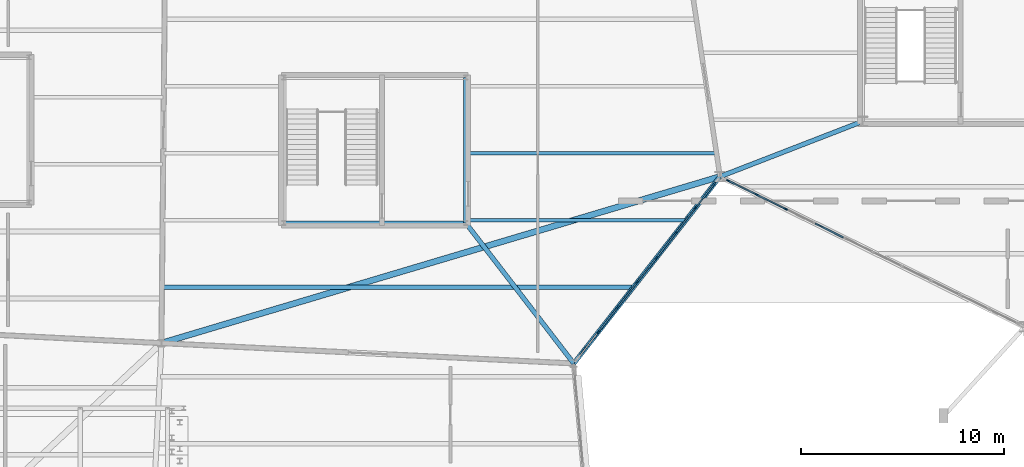
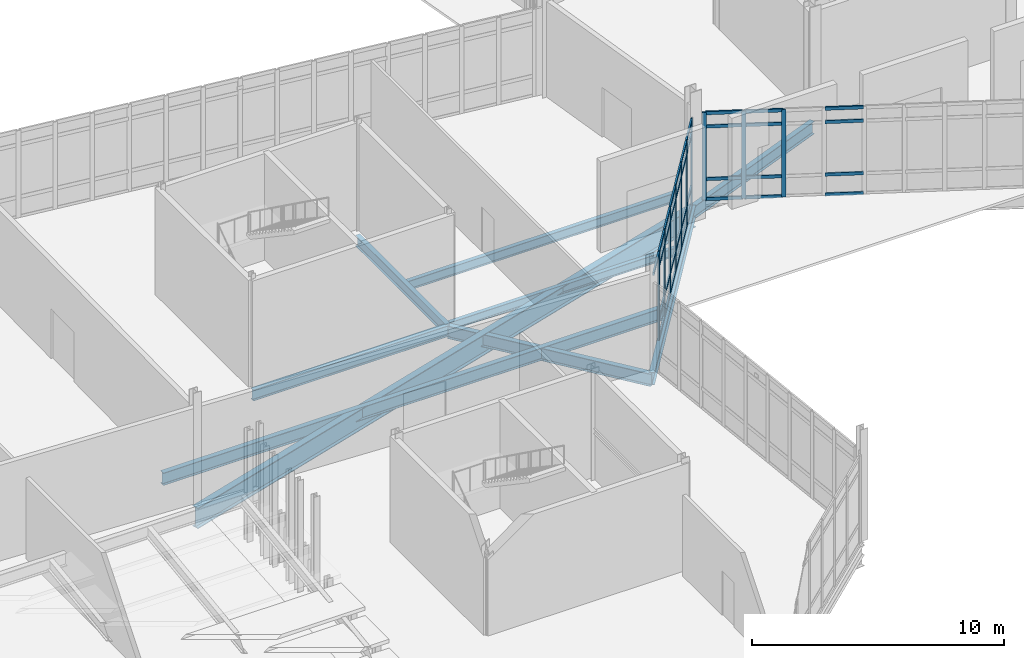
# One storey, part 28 of 113: 47 members, 9 beams, 2 elements without a shape of their own.
"""IFC4 building model written with IfcOpenShell, lengths in metres."""

from ifc_helpers import new_model, si_unit, direction, frame, origin, origin_2d, place, context, subcontext, project, spatial, rectangle, i_section, extrude, material, material_profile, profile_set, type_object, element, aggregate, save


model = new_model("IFC4")

# Units and contexts
model_context = context("Model", 3, precision=1e-05, world=origin(), true_north=direction((0.0, 1.0)))
body_context = subcontext(model_context, "Body", "Model", "MODEL_VIEW")
ifc_project = project(units=[si_unit("LENGTHUNIT", "METRE"), si_unit("AREAUNIT", "SQUARE_METRE"), si_unit("VOLUMEUNIT", "CUBIC_METRE"), si_unit("PLANEANGLEUNIT", "RADIAN"), si_unit("MASSUNIT", "GRAM", prefix="KILO")], contexts=[model_context])

# Site, building, storey
site_placement = place(None, origin())
site = spatial("IfcSite", under=ifc_project, at=site_placement, CompositionType="ELEMENT")
building_placement = place(site_placement, origin())
building = spatial("IfcBuilding", under=site, at=building_placement, Name="Tameran Prism Museum", CompositionType="ELEMENT")
storey_placement = place(building_placement, origin())
storey = spatial("IfcBuildingStorey", under=building, at=storey_placement, Name="L00", CompositionType="ELEMENT", Elevation=0.0)

# Beams
ifc_material_1 = material(Name="Steel Grade 300PLUS (300 MPa)", Category="steel")
ifc_material_profile_1 = material_profile(ifc_material_1, i_section(OverallWidth=0.177978515625, OverallDepth=0.403076171875, WebThickness=0.007568359375, FlangeThickness=0.010986328125, FilletRadius=0.011474609375, at=origin_2d()))
ifc_profile_set_1 = profile_set([ifc_material_profile_1])
beam_type_1 = type_object("IfcBeamType", Name="BM-J410B", PredefinedType="JOIST", material=ifc_profile_set_1)
beam_1_placement = place(storey_placement, frame((38.47998046875, 28.050048828125, -0.44140625), z_axis=(1.0, 0.0, 0.0), x_axis=(0.0, 1.0, 0.0)))
element("IfcBeam", 1, at=beam_1_placement, inside=storey, type_object=beam_type_1, Name="Floor Beam BM-0277", PredefinedType="JOIST", context=body_context, shape_type="SweptSolid", body=[
    extrude(i_section(OverallWidth=0.177978515625, OverallDepth=0.403076171875, WebThickness=0.007568359375, FlangeThickness=0.010986328125, FilletRadius=0.011474609375, at=origin_2d()), origin(), (0.0, 0.0, 1.0), 10.787109375),
])
ifc_material_2 = material(Name="Steel Grade 300PLUS (300 MPa)", Category="steel")
ifc_material_profile_2 = material_profile(ifc_material_2, i_section(OverallWidth=0.18994140625, OverallDepth=0.4541015625, WebThickness=0.008544921875, FlangeThickness=0.0126953125, FilletRadius=0.011474609375, at=origin_2d()))
ifc_profile_set_2 = profile_set([ifc_material_profile_2])
beam_type_2 = type_object("IfcBeamType", Name="BM-J460B", PredefinedType="JOIST", material=ifc_profile_set_2)
beam_2_placement = place(storey_placement, frame((38.47998046875, 31.35009765625, -0.467041015625), z_axis=(1.0, 0.0, 0.0), x_axis=(0.0, 1.0, 0.0)))
element("IfcBeam", 2, at=beam_2_placement, inside=storey, type_object=beam_type_2, Name="Floor Beam BM-0279", PredefinedType="JOIST", context=body_context, shape_type="SweptSolid", body=[
    extrude(i_section(OverallWidth=0.18994140625, OverallDepth=0.4541015625, WebThickness=0.008544921875, FlangeThickness=0.0126953125, FilletRadius=0.011474609375, at=origin_2d()), origin(), (0.0, 0.0, 1.0), 12.305908203125),
])
ifc_material_3 = material(Name="Steel Grade 300PLUS (300 MPa)", Category="steel")
ifc_material_profile_3 = material_profile(ifc_material_3, i_section(OverallWidth=0.208984375, OverallDepth=0.528076171875, WebThickness=0.009521484375, FlangeThickness=0.01318359375, FilletRadius=0.013916015625, at=origin_2d()))
ifc_profile_set_3 = profile_set([ifc_material_profile_3])
beam_type_3 = type_object("IfcBeamType", Name="BM-SP530B", PredefinedType="SPANDREL", material=ifc_profile_set_3)
beam_3_placement = place(storey_placement, frame((29.52001953125, 27.919921875, -0.50390625), z_axis=(1.0, 0.0, 0.0), x_axis=(0.0, 1.0, 0.0)))
element("IfcBeam", 3, at=beam_3_placement, inside=storey, type_object=beam_type_3, Name="Core Ring Beam CTB-0146", PredefinedType="SPANDREL", context=body_context, shape_type="SweptSolid", body=[
    extrude(i_section(OverallWidth=0.208984375, OverallDepth=0.528076171875, WebThickness=0.009521484375, FlangeThickness=0.01318359375, FilletRadius=0.013916015625, at=origin_2d()), origin(), (0.0, 0.0, 1.0), 8.9599609375),
])
beam_4_placement = place(storey_placement, frame((38.47998046875, 27.919921875, -0.50390625), z_axis=(0.0, 1.0, 0.0), x_axis=(-1.0, 0.0, 0.0)))
element("IfcBeam", 4, at=beam_4_placement, inside=storey, type_object=beam_type_3, Name="Core Ring Beam CTB-0147", PredefinedType="SPANDREL", context=body_context, shape_type="SweptSolid", body=[
    extrude(i_section(OverallWidth=0.208984375, OverallDepth=0.528076171875, WebThickness=0.009521484375, FlangeThickness=0.01318359375, FilletRadius=0.013916015625, at=origin_2d()), origin(), (0.0, 0.0, 1.0), 7.16015625),
])
ifc_material_4 = material(Name="Steel Grade 300PLUS (300 MPa)", Category="steel")
ifc_material_profile_4 = material_profile(ifc_material_4, i_section(OverallWidth=0.22802734375, OverallDepth=0.60205078125, WebThickness=0.010498046875, FlangeThickness=0.014892578125, FilletRadius=0.013916015625, at=origin_2d()))
ifc_profile_set_4 = profile_set([ifc_material_profile_4])
beam_type_4 = type_object("IfcBeamType", Name="BM-SP610", PredefinedType="SPANDREL", material=ifc_profile_set_4)
beam_5_placement = place(storey_placement, frame((43.800048828125, 21.0, -0.541015625), z_axis=(0.616307698167, 0.787505442, 0.0), x_axis=(-0.787505442, 0.616307698167, 0.0)))
element("IfcBeam", 5, at=beam_5_placement, inside=storey, type_object=beam_type_4, Name="Perimeter Spandrel SP-0072", PredefinedType="SPANDREL", context=body_context, shape_type="SweptSolid", body=[
    extrude(i_section(OverallWidth=0.22802734375, OverallDepth=0.60205078125, WebThickness=0.010498046875, FlangeThickness=0.014892578125, FilletRadius=0.013916015625, at=origin_2d()), origin(), (0.0, 0.0, 1.0), 11.682373046875),
])
ifc_material_5 = material(Name="Steel Grade 300PLUS (300 MPa)", Category="steel")
ifc_material_profile_5 = material_profile(ifc_material_5, i_section(OverallWidth=0.22900390625, OverallDepth=0.612060546875, WebThickness=0.011962890625, FlangeThickness=0.01953125, FilletRadius=0.013916015625, at=origin_2d()))
ifc_profile_set_5 = profile_set([ifc_material_profile_5])
beam_type_5 = type_object("IfcBeamType", Name="BM-UB610A", PredefinedType="BEAM", material=ifc_profile_set_5)
beam_6_placement = place(storey_placement, frame((58.02001953125, 32.919921875, -0.56005859375), z_axis=(-0.932454302141, -0.361287938379, 0.0), x_axis=(0.361287938379, -0.932454302141, 0.0)))
element("IfcBeam", 6, at=beam_6_placement, inside=storey, type_object=beam_type_5, Name="Frame Tie Girder FG-1410", PredefinedType="BEAM", context=body_context, shape_type="SweptSolid", body=[
    extrude(i_section(OverallWidth=0.22900390625, OverallDepth=0.612060546875, WebThickness=0.011962890625, FlangeThickness=0.01953125, FilletRadius=0.013916015625, at=origin_2d()), origin(), (0.0, 0.0, 1.0), 7.528564453125),
])
beam_7_placement = place(storey_placement, frame((38.47998046875, 27.919921875, -0.56005859375), z_axis=(0.60949851904, -0.792787206814, 0.0), x_axis=(0.792787206814, 0.60949851904, 0.0)))
element("IfcBeam", 7, at=beam_7_placement, inside=storey, type_object=beam_type_5, Name="Frame Tie Girder FG-1431", PredefinedType="BEAM", context=body_context, shape_type="SweptSolid", body=[
    extrude(i_section(OverallWidth=0.22900390625, OverallDepth=0.612060546875, WebThickness=0.011962890625, FlangeThickness=0.01953125, FilletRadius=0.013916015625, at=origin_2d()), origin(), (0.0, 0.0, 1.0), 8.728515625),
])
ifc_material_6 = material(Name="Steel Grade 300PLUS (300 MPa)", Category="steel")
ifc_material_profile_6 = material_profile(ifc_material_6, i_section(OverallWidth=0.22802734375, OverallDepth=0.60693359375, WebThickness=0.01123046875, FlangeThickness=0.017333984375, FilletRadius=0.013916015625, at=origin_2d()))
ifc_profile_set_6 = profile_set([ifc_material_profile_6])
beam_type_6 = type_object("IfcBeamType", Name="BM-UB610B", PredefinedType="BEAM", material=ifc_profile_set_6)
beam_8_placement = place(storey_placement, frame((23.56591796875, 24.75, -0.54345703125), z_axis=(1.0, 0.0, 0.0), x_axis=(0.0, 1.0, 0.0)))
element("IfcBeam", 8, at=beam_8_placement, inside=storey, type_object=beam_type_6, Name="Floor Beam BM-0275", PredefinedType="BEAM", context=body_context, shape_type="SweptSolid", body=[
    extrude(i_section(OverallWidth=0.22802734375, OverallDepth=0.60693359375, WebThickness=0.01123046875, FlangeThickness=0.017333984375, FilletRadius=0.013916015625, at=origin_2d()), origin(), (0.0, 0.0, 1.0), 23.1181640625),
])
ifc_material_7 = material(Name="Steel Grade 350 (350 MPa)", Category="steel")
ifc_material_profile_7 = material_profile(ifc_material_7, i_section(OverallWidth=0.300048828125, OverallDepth=1.0, WebThickness=0.01611328125, FlangeThickness=0.031982421875, at=origin_2d()))
ifc_profile_set_7 = profile_set([ifc_material_profile_7])
beam_type_7 = type_object("IfcBeamType", Name="BM-WB1000", PredefinedType="BEAM", material=ifc_profile_set_7)
beam_9_placement = place(storey_placement, frame((23.5, 22.0, -0.739990234375), z_axis=(0.958304969171, 0.285747416544, 0.0), x_axis=(-0.285747416544, 0.958304969171, 0.0)))
element("IfcBeam", 9, at=beam_9_placement, inside=storey, type_object=beam_type_7, Name="Primary Vertex Girder PG-0074", PredefinedType="BEAM", context=body_context, shape_type="SweptSolid", body=[
    extrude(i_section(OverallWidth=0.300048828125, OverallDepth=1.0, WebThickness=0.01611328125, FlangeThickness=0.031982421875, at=origin_2d()), origin(), (0.0, 0.0, 1.0), 28.696533203125),
])

# Curtain wall, members
ifc_material_8 = material(Name="Anodised Aluminium 6063-T6 and Cyclone Solar Glass", Category="aluminium")
curtain_wall_type_1 = type_object("IfcCurtainWallType", Name="CW-FAC-1597x422", PredefinedType="USERDEFINED", material=ifc_material_8)
curtain_wall_1_placement = place(storey_placement, origin())
curtain_wall_1 = element("IfcCurtainWall", 10, at=curtain_wall_1_placement, inside=storey, type_object=curtain_wall_type_1, Name="Unitised Curtain Wall CW-028", ObjectType="UNITISED CURTAIN WALL", PredefinedType="USERDEFINED")
ifc_material_9 = material(Name="Anodised Aluminium Alloy 6063-T6", Category="aluminium")
ifc_material_profile_8 = material_profile(ifc_material_9, rectangle(XDim=0.070068359375, YDim=0.179931640625, at=origin_2d()))
ifc_profile_set_8 = profile_set([ifc_material_profile_8])
member_type_1 = type_object("IfcMemberType", Name="CW-MUL-B", PredefinedType="MULLION", material=ifc_profile_set_8)
member_1_placement = place(storey_placement, frame((54.231689453125, 28.60546875, 0.0), z_axis=(0.0, 0.0, 1.0), x_axis=(-0.442396697666, -0.896819470069, 0.0)))
member_1 = element("IfcMember", 11, at=member_1_placement, type_object=member_type_1, Name="CW-028 mullion 9", PredefinedType="MULLION", context=body_context, shape_type="SweptSolid", body=[
    extrude(rectangle(XDim=0.070068359375, YDim=0.179931640625, at=origin_2d()), origin(), (0.0, 0.0, 1.0), 4.219970703125),
])
member_2_placement = place(storey_placement, frame((52.7998046875, 29.311767578125, 0.0), z_axis=(0.0, 0.0, 1.0), x_axis=(-0.442396697666, -0.896819470069, 0.0)))
member_2 = element("IfcMember", 12, at=member_2_placement, type_object=member_type_1, Name="CW-028 mullion 10", PredefinedType="MULLION", context=body_context, shape_type="SweptSolid", body=[
    extrude(rectangle(XDim=0.070068359375, YDim=0.179931640625, at=origin_2d()), origin(), (0.0, 0.0, 1.0), 4.219970703125),
])
member_3_placement = place(storey_placement, frame((51.3994140625, 30.00244140625, 0.0), z_axis=(0.0, 0.0, 1.0), x_axis=(-0.442396697666, -0.896819470069, 0.0)))
member_3 = element("IfcMember", 13, at=member_3_placement, type_object=member_type_1, Name="CW-028 mullion 11", PredefinedType="MULLION", context=body_context, shape_type="SweptSolid", body=[
    extrude(rectangle(XDim=0.070068359375, YDim=0.179931640625, at=origin_2d()), origin(), (0.0, 0.0, 1.0), 4.219970703125),
])

ifc_material_10 = material(Name="Anodised Aluminium 6063-T6 and Cyclone Solar Glass", Category="aluminium")
curtain_wall_type_2 = type_object("IfcCurtainWallType", Name="CW-FAC-1086x422", PredefinedType="USERDEFINED", material=ifc_material_10)
curtain_wall_2_placement = place(storey_placement, origin())
curtain_wall_2 = element("IfcCurtainWall", 14, at=curtain_wall_2_placement, inside=storey, type_object=curtain_wall_type_2, Name="Unitised Curtain Wall CW-048", ObjectType="UNITISED CURTAIN WALL", PredefinedType="USERDEFINED")
member_4_placement = place(storey_placement, frame((50.725341796875, 29.849365234375, 0.0), z_axis=(0.0, 0.0, 1.0), x_axis=(0.787524428179, -0.616283437245, 0.0)))
member_4 = element("IfcMember", 15, at=member_4_placement, type_object=member_type_1, Name="CW-048 mullion 1", PredefinedType="MULLION", context=body_context, shape_type="SweptSolid", body=[
    extrude(rectangle(XDim=0.070068359375, YDim=0.179931640625, at=origin_2d()), origin(), (0.0, 0.0, 1.0), 4.219970703125),
])
member_5_placement = place(storey_placement, frame((49.790771484375, 28.655029296875, 0.0), z_axis=(0.0, 0.0, 1.0), x_axis=(0.787524428179, -0.616283437245, 0.0)))
member_5 = element("IfcMember", 16, at=member_5_placement, type_object=member_type_1, Name="CW-048 mullion 2", PredefinedType="MULLION", context=body_context, shape_type="SweptSolid", body=[
    extrude(rectangle(XDim=0.070068359375, YDim=0.179931640625, at=origin_2d()), origin(), (0.0, 0.0, 1.0), 4.219970703125),
])
member_6_placement = place(storey_placement, frame((48.83447265625, 27.43310546875, 0.0), z_axis=(0.0, 0.0, 1.0), x_axis=(0.787524428179, -0.616283437245, 0.0)))
member_6 = element("IfcMember", 17, at=member_6_placement, type_object=member_type_1, Name="CW-048 mullion 3", PredefinedType="MULLION", context=body_context, shape_type="SweptSolid", body=[
    extrude(rectangle(XDim=0.070068359375, YDim=0.179931640625, at=origin_2d()), origin(), (0.0, 0.0, 1.0), 4.219970703125),
])
member_7_placement = place(storey_placement, frame((47.878173828125, 26.2109375, 0.0), z_axis=(0.0, 0.0, 1.0), x_axis=(0.787524428179, -0.616283437245, 0.0)))
member_7 = element("IfcMember", 18, at=member_7_placement, type_object=member_type_1, Name="CW-048 mullion 4", PredefinedType="MULLION", context=body_context, shape_type="SweptSolid", body=[
    extrude(rectangle(XDim=0.070068359375, YDim=0.179931640625, at=origin_2d()), origin(), (0.0, 0.0, 1.0), 4.219970703125),
])
member_8_placement = place(storey_placement, frame((46.921875, 24.989013671875, 0.0), z_axis=(0.0, 0.0, 1.0), x_axis=(0.787524428179, -0.616283437245, 0.0)))
member_8 = element("IfcMember", 19, at=member_8_placement, type_object=member_type_1, Name="CW-048 mullion 5", PredefinedType="MULLION", context=body_context, shape_type="SweptSolid", body=[
    extrude(rectangle(XDim=0.070068359375, YDim=0.179931640625, at=origin_2d()), origin(), (0.0, 0.0, 1.0), 4.219970703125),
])
member_9_placement = place(storey_placement, frame((45.965576171875, 23.76708984375, 0.0), z_axis=(0.0, 0.0, 1.0), x_axis=(0.787524428179, -0.616283437245, 0.0)))
member_9 = element("IfcMember", 20, at=member_9_placement, type_object=member_type_1, Name="CW-048 mullion 6", PredefinedType="MULLION", context=body_context, shape_type="SweptSolid", body=[
    extrude(rectangle(XDim=0.070068359375, YDim=0.179931640625, at=origin_2d()), origin(), (0.0, 0.0, 1.0), 4.219970703125),
])
member_10_placement = place(storey_placement, frame((45.00927734375, 22.544921875, 0.0), z_axis=(0.0, 0.0, 1.0), x_axis=(0.787524428179, -0.616283437245, 0.0)))
member_10 = element("IfcMember", 21, at=member_10_placement, type_object=member_type_1, Name="CW-048 mullion 7", PredefinedType="MULLION", context=body_context, shape_type="SweptSolid", body=[
    extrude(rectangle(XDim=0.070068359375, YDim=0.179931640625, at=origin_2d()), origin(), (0.0, 0.0, 1.0), 4.219970703125),
])

# Member
ifc_material_11 = material(Name="Anodised Aluminium Alloy 6063-T6", Category="aluminium")
ifc_material_profile_9 = material_profile(ifc_material_11, rectangle(XDim=0.070068359375, YDim=0.155029296875, at=origin_2d()))
ifc_profile_set_9 = profile_set([ifc_material_profile_9])
member_type_2 = type_object("IfcMemberType", Name="CW-TRN-B", PredefinedType="USERDEFINED", material=ifc_profile_set_9)
member_11_placement = place(storey_placement, frame((57.063720703125, 27.208251953125, 0.034912109375), z_axis=(-0.896813499998, 0.442408799892, 0.0), x_axis=(-0.442408799892, -0.896813499998, 0.0)))
member_11 = element("IfcMember", 22, at=member_11_placement, type_object=member_type_2, Name="CW-028 transom 7.1", ObjectType="TRANSOM", PredefinedType="USERDEFINED", context=body_context, shape_type="SweptSolid", body=[
    extrude(rectangle(XDim=0.070068359375, YDim=0.155029296875, at=origin_2d()), origin(), (0.0, 0.0, 1.0), 1.5263671875),
])

member_12_placement = place(storey_placement, frame((57.063720703125, 27.208251953125, 1.0), z_axis=(-0.896813499998, 0.442408799892, 0.0), x_axis=(-0.442408799892, -0.896813499998, 0.0)))
member_12 = element("IfcMember", 23, at=member_12_placement, type_object=member_type_2, Name="CW-028 transom 7.2", ObjectType="TRANSOM", PredefinedType="USERDEFINED", context=body_context, shape_type="SweptSolid", body=[
    extrude(rectangle(XDim=0.070068359375, YDim=0.155029296875, at=origin_2d()), origin(), (0.0, 0.0, 1.0), 1.5263671875),
])

member_13_placement = place(storey_placement, frame((57.063720703125, 27.208251953125, 3.5400390625), z_axis=(-0.896813499998, 0.442408799892, 0.0), x_axis=(-0.442408799892, -0.896813499998, 0.0)))
member_13 = element("IfcMember", 24, at=member_13_placement, type_object=member_type_2, Name="CW-028 transom 7.3", ObjectType="TRANSOM", PredefinedType="USERDEFINED", context=body_context, shape_type="SweptSolid", body=[
    extrude(rectangle(XDim=0.070068359375, YDim=0.155029296875, at=origin_2d()), origin(), (0.0, 0.0, 1.0), 1.5263671875),
])

member_14_placement = place(storey_placement, frame((57.063720703125, 27.208251953125, 4.18505859375), z_axis=(-0.896813499998, 0.442408799892, 0.0), x_axis=(-0.442408799892, -0.896813499998, 0.0)))
member_14 = element("IfcMember", 25, at=member_14_placement, type_object=member_type_2, Name="CW-028 transom 7.4", ObjectType="TRANSOM", PredefinedType="USERDEFINED", context=body_context, shape_type="SweptSolid", body=[
    extrude(rectangle(XDim=0.070068359375, YDim=0.155029296875, at=origin_2d()), origin(), (0.0, 0.0, 1.0), 1.5263671875),
])

member_15_placement = place(storey_placement, frame((54.2001953125, 28.620849609375, 0.034912109375), z_axis=(-0.896813499998, 0.442408799892, 0.0), x_axis=(-0.442408799892, -0.896813499998, 0.0)))
member_15 = element("IfcMember", 26, at=member_15_placement, type_object=member_type_2, Name="CW-028 transom 9.1", ObjectType="TRANSOM", PredefinedType="USERDEFINED", context=body_context, shape_type="SweptSolid", body=[
    extrude(rectangle(XDim=0.070068359375, YDim=0.155029296875, at=origin_2d()), origin(), (0.0, 0.0, 1.0), 1.5263671875),
])

member_16_placement = place(storey_placement, frame((54.2001953125, 28.620849609375, 1.0), z_axis=(-0.896813499998, 0.442408799892, 0.0), x_axis=(-0.442408799892, -0.896813499998, 0.0)))
member_16 = element("IfcMember", 27, at=member_16_placement, type_object=member_type_2, Name="CW-028 transom 9.2", ObjectType="TRANSOM", PredefinedType="USERDEFINED", context=body_context, shape_type="SweptSolid", body=[
    extrude(rectangle(XDim=0.070068359375, YDim=0.155029296875, at=origin_2d()), origin(), (0.0, 0.0, 1.0), 1.5263671875),
])

member_17_placement = place(storey_placement, frame((54.2001953125, 28.620849609375, 3.5400390625), z_axis=(-0.896813499998, 0.442408799892, 0.0), x_axis=(-0.442408799892, -0.896813499998, 0.0)))
member_17 = element("IfcMember", 28, at=member_17_placement, type_object=member_type_2, Name="CW-028 transom 9.3", ObjectType="TRANSOM", PredefinedType="USERDEFINED", context=body_context, shape_type="SweptSolid", body=[
    extrude(rectangle(XDim=0.070068359375, YDim=0.155029296875, at=origin_2d()), origin(), (0.0, 0.0, 1.0), 1.5263671875),
])

member_18_placement = place(storey_placement, frame((54.2001953125, 28.620849609375, 4.18505859375), z_axis=(-0.896813499998, 0.442408799892, 0.0), x_axis=(-0.442408799892, -0.896813499998, 0.0)))
member_18 = element("IfcMember", 29, at=member_18_placement, type_object=member_type_2, Name="CW-028 transom 9.4", ObjectType="TRANSOM", PredefinedType="USERDEFINED", context=body_context, shape_type="SweptSolid", body=[
    extrude(rectangle(XDim=0.070068359375, YDim=0.155029296875, at=origin_2d()), origin(), (0.0, 0.0, 1.0), 1.5263671875),
])

member_19_placement = place(storey_placement, frame((52.768310546875, 29.3271484375, 0.034912109375), z_axis=(-0.89680415295, 0.442427746929, 0.0), x_axis=(-0.442427746929, -0.89680415295, 0.0)))
member_19 = element("IfcMember", 30, at=member_19_placement, type_object=member_type_2, Name="CW-028 transom 10.1", ObjectType="TRANSOM", PredefinedType="USERDEFINED", context=body_context, shape_type="SweptSolid", body=[
    extrude(rectangle(XDim=0.070068359375, YDim=0.155029296875, at=origin_2d()), origin(), (0.0, 0.0, 1.0), 1.491455078125),
])

member_20_placement = place(storey_placement, frame((52.768310546875, 29.3271484375, 1.0), z_axis=(-0.89680415295, 0.442427746929, 0.0), x_axis=(-0.442427746929, -0.89680415295, 0.0)))
member_20 = element("IfcMember", 31, at=member_20_placement, type_object=member_type_2, Name="CW-028 transom 10.2", ObjectType="TRANSOM", PredefinedType="USERDEFINED", context=body_context, shape_type="SweptSolid", body=[
    extrude(rectangle(XDim=0.070068359375, YDim=0.155029296875, at=origin_2d()), origin(), (0.0, 0.0, 1.0), 1.491455078125),
])

member_21_placement = place(storey_placement, frame((52.768310546875, 29.3271484375, 3.5400390625), z_axis=(-0.89680415295, 0.442427746929, 0.0), x_axis=(-0.442427746929, -0.89680415295, 0.0)))
member_21 = element("IfcMember", 32, at=member_21_placement, type_object=member_type_2, Name="CW-028 transom 10.3", ObjectType="TRANSOM", PredefinedType="USERDEFINED", context=body_context, shape_type="SweptSolid", body=[
    extrude(rectangle(XDim=0.070068359375, YDim=0.155029296875, at=origin_2d()), origin(), (0.0, 0.0, 1.0), 1.491455078125),
])

member_22_placement = place(storey_placement, frame((52.768310546875, 29.3271484375, 4.18505859375), z_axis=(-0.89680415295, 0.442427746929, 0.0), x_axis=(-0.442427746929, -0.89680415295, 0.0)))
member_22 = element("IfcMember", 33, at=member_22_placement, type_object=member_type_2, Name="CW-028 transom 10.4", ObjectType="TRANSOM", PredefinedType="USERDEFINED", context=body_context, shape_type="SweptSolid", body=[
    extrude(rectangle(XDim=0.070068359375, YDim=0.155029296875, at=origin_2d()), origin(), (0.0, 0.0, 1.0), 1.491455078125),
])

aggregate(curtain_wall_1, [member_1, member_2, member_3, member_11, member_12, member_13, member_14, member_15, member_16, member_17, member_18, member_19, member_20, member_21, member_22])

member_23_placement = place(storey_placement, frame((50.703857421875, 29.82177734375, 0.034912109375), z_axis=(-0.616344666052, -0.787476509255, 0.0), x_axis=(0.787476509255, -0.616344666052, 0.0)))
member_23 = element("IfcMember", 34, at=member_23_placement, type_object=member_type_2, Name="CW-048 transom 1.1", ObjectType="TRANSOM", PredefinedType="USERDEFINED", context=body_context, shape_type="SweptSolid", body=[
    extrude(rectangle(XDim=0.070068359375, YDim=0.155029296875, at=origin_2d()), origin(), (0.0, 0.0, 1.0), 1.446533203125),
])

member_24_placement = place(storey_placement, frame((50.703857421875, 29.82177734375, 1.0), z_axis=(-0.616344666052, -0.787476509255, 0.0), x_axis=(0.787476509255, -0.616344666052, 0.0)))
member_24 = element("IfcMember", 35, at=member_24_placement, type_object=member_type_2, Name="CW-048 transom 1.2", ObjectType="TRANSOM", PredefinedType="USERDEFINED", context=body_context, shape_type="SweptSolid", body=[
    extrude(rectangle(XDim=0.070068359375, YDim=0.155029296875, at=origin_2d()), origin(), (0.0, 0.0, 1.0), 1.446533203125),
])

member_25_placement = place(storey_placement, frame((50.703857421875, 29.82177734375, 3.5400390625), z_axis=(-0.616344666052, -0.787476509255, 0.0), x_axis=(0.787476509255, -0.616344666052, 0.0)))
member_25 = element("IfcMember", 36, at=member_25_placement, type_object=member_type_2, Name="CW-048 transom 1.3", ObjectType="TRANSOM", PredefinedType="USERDEFINED", context=body_context, shape_type="SweptSolid", body=[
    extrude(rectangle(XDim=0.070068359375, YDim=0.155029296875, at=origin_2d()), origin(), (0.0, 0.0, 1.0), 1.446533203125),
])

member_26_placement = place(storey_placement, frame((50.703857421875, 29.82177734375, 4.18505859375), z_axis=(-0.616344666052, -0.787476509255, 0.0), x_axis=(0.787476509255, -0.616344666052, 0.0)))
member_26 = element("IfcMember", 37, at=member_26_placement, type_object=member_type_2, Name="CW-048 transom 1.4", ObjectType="TRANSOM", PredefinedType="USERDEFINED", context=body_context, shape_type="SweptSolid", body=[
    extrude(rectangle(XDim=0.070068359375, YDim=0.155029296875, at=origin_2d()), origin(), (0.0, 0.0, 1.0), 1.446533203125),
])

member_27_placement = place(storey_placement, frame((49.76904296875, 28.62744140625, 0.034912109375), z_axis=(-0.616219404639, -0.787574533201, 0.0), x_axis=(0.787574533201, -0.616219404639, 0.0)))
member_27 = element("IfcMember", 38, at=member_27_placement, type_object=member_type_2, Name="CW-048 transom 2.1", ObjectType="TRANSOM", PredefinedType="USERDEFINED", context=body_context, shape_type="SweptSolid", body=[
    extrude(rectangle(XDim=0.070068359375, YDim=0.155029296875, at=origin_2d()), origin(), (0.0, 0.0, 1.0), 1.481689453125),
])

member_28_placement = place(storey_placement, frame((49.76904296875, 28.62744140625, 1.0), z_axis=(-0.616219404639, -0.787574533201, 0.0), x_axis=(0.787574533201, -0.616219404639, 0.0)))
member_28 = element("IfcMember", 39, at=member_28_placement, type_object=member_type_2, Name="CW-048 transom 2.2", ObjectType="TRANSOM", PredefinedType="USERDEFINED", context=body_context, shape_type="SweptSolid", body=[
    extrude(rectangle(XDim=0.070068359375, YDim=0.155029296875, at=origin_2d()), origin(), (0.0, 0.0, 1.0), 1.481689453125),
])

member_29_placement = place(storey_placement, frame((49.76904296875, 28.62744140625, 3.5400390625), z_axis=(-0.616219404639, -0.787574533201, 0.0), x_axis=(0.787574533201, -0.616219404639, 0.0)))
member_29 = element("IfcMember", 40, at=member_29_placement, type_object=member_type_2, Name="CW-048 transom 2.3", ObjectType="TRANSOM", PredefinedType="USERDEFINED", context=body_context, shape_type="SweptSolid", body=[
    extrude(rectangle(XDim=0.070068359375, YDim=0.155029296875, at=origin_2d()), origin(), (0.0, 0.0, 1.0), 1.481689453125),
])

member_30_placement = place(storey_placement, frame((49.76904296875, 28.62744140625, 4.18505859375), z_axis=(-0.616219404639, -0.787574533201, 0.0), x_axis=(0.787574533201, -0.616219404639, 0.0)))
member_30 = element("IfcMember", 41, at=member_30_placement, type_object=member_type_2, Name="CW-048 transom 2.4", ObjectType="TRANSOM", PredefinedType="USERDEFINED", context=body_context, shape_type="SweptSolid", body=[
    extrude(rectangle(XDim=0.070068359375, YDim=0.155029296875, at=origin_2d()), origin(), (0.0, 0.0, 1.0), 1.481689453125),
])

member_31_placement = place(storey_placement, frame((48.812744140625, 27.405517578125, 0.034912109375), z_axis=(-0.616219404639, -0.787574533201, 0.0), x_axis=(0.787574533201, -0.616219404639, 0.0)))
member_31 = element("IfcMember", 42, at=member_31_placement, type_object=member_type_2, Name="CW-048 transom 3.1", ObjectType="TRANSOM", PredefinedType="USERDEFINED", context=body_context, shape_type="SweptSolid", body=[
    extrude(rectangle(XDim=0.070068359375, YDim=0.155029296875, at=origin_2d()), origin(), (0.0, 0.0, 1.0), 1.481689453125),
])

member_32_placement = place(storey_placement, frame((48.812744140625, 27.405517578125, 1.0), z_axis=(-0.616219404639, -0.787574533201, 0.0), x_axis=(0.787574533201, -0.616219404639, 0.0)))
member_32 = element("IfcMember", 43, at=member_32_placement, type_object=member_type_2, Name="CW-048 transom 3.2", ObjectType="TRANSOM", PredefinedType="USERDEFINED", context=body_context, shape_type="SweptSolid", body=[
    extrude(rectangle(XDim=0.070068359375, YDim=0.155029296875, at=origin_2d()), origin(), (0.0, 0.0, 1.0), 1.481689453125),
])

member_33_placement = place(storey_placement, frame((48.812744140625, 27.405517578125, 3.5400390625), z_axis=(-0.616219404639, -0.787574533201, 0.0), x_axis=(0.787574533201, -0.616219404639, 0.0)))
member_33 = element("IfcMember", 44, at=member_33_placement, type_object=member_type_2, Name="CW-048 transom 3.3", ObjectType="TRANSOM", PredefinedType="USERDEFINED", context=body_context, shape_type="SweptSolid", body=[
    extrude(rectangle(XDim=0.070068359375, YDim=0.155029296875, at=origin_2d()), origin(), (0.0, 0.0, 1.0), 1.481689453125),
])

member_34_placement = place(storey_placement, frame((48.812744140625, 27.405517578125, 4.18505859375), z_axis=(-0.616219404639, -0.787574533201, 0.0), x_axis=(0.787574533201, -0.616219404639, 0.0)))
member_34 = element("IfcMember", 45, at=member_34_placement, type_object=member_type_2, Name="CW-048 transom 3.4", ObjectType="TRANSOM", PredefinedType="USERDEFINED", context=body_context, shape_type="SweptSolid", body=[
    extrude(rectangle(XDim=0.070068359375, YDim=0.155029296875, at=origin_2d()), origin(), (0.0, 0.0, 1.0), 1.481689453125),
])

member_35_placement = place(storey_placement, frame((47.856689453125, 26.183349609375, 0.034912109375), z_axis=(-0.616401555716, -0.787431979355, 0.0), x_axis=(0.787431979355, -0.616401555716, 0.0)))
member_35 = element("IfcMember", 46, at=member_35_placement, type_object=member_type_2, Name="CW-048 transom 4.1", ObjectType="TRANSOM", PredefinedType="USERDEFINED", context=body_context, shape_type="SweptSolid", body=[
    extrude(rectangle(XDim=0.070068359375, YDim=0.155029296875, at=origin_2d()), origin(), (0.0, 0.0, 1.0), 1.481689453125),
])

member_36_placement = place(storey_placement, frame((47.856689453125, 26.183349609375, 1.0), z_axis=(-0.616401555716, -0.787431979355, 0.0), x_axis=(0.787431979355, -0.616401555716, 0.0)))
member_36 = element("IfcMember", 47, at=member_36_placement, type_object=member_type_2, Name="CW-048 transom 4.2", ObjectType="TRANSOM", PredefinedType="USERDEFINED", context=body_context, shape_type="SweptSolid", body=[
    extrude(rectangle(XDim=0.070068359375, YDim=0.155029296875, at=origin_2d()), origin(), (0.0, 0.0, 1.0), 1.481689453125),
])

member_37_placement = place(storey_placement, frame((47.856689453125, 26.183349609375, 3.5400390625), z_axis=(-0.616401555716, -0.787431979355, 0.0), x_axis=(0.787431979355, -0.616401555716, 0.0)))
member_37 = element("IfcMember", 48, at=member_37_placement, type_object=member_type_2, Name="CW-048 transom 4.3", ObjectType="TRANSOM", PredefinedType="USERDEFINED", context=body_context, shape_type="SweptSolid", body=[
    extrude(rectangle(XDim=0.070068359375, YDim=0.155029296875, at=origin_2d()), origin(), (0.0, 0.0, 1.0), 1.481689453125),
])

member_38_placement = place(storey_placement, frame((47.856689453125, 26.183349609375, 4.18505859375), z_axis=(-0.616401555716, -0.787431979355, 0.0), x_axis=(0.787431979355, -0.616401555716, 0.0)))
member_38 = element("IfcMember", 49, at=member_38_placement, type_object=member_type_2, Name="CW-048 transom 4.4", ObjectType="TRANSOM", PredefinedType="USERDEFINED", context=body_context, shape_type="SweptSolid", body=[
    extrude(rectangle(XDim=0.070068359375, YDim=0.155029296875, at=origin_2d()), origin(), (0.0, 0.0, 1.0), 1.481689453125),
])

member_39_placement = place(storey_placement, frame((46.900390625, 24.96142578125, 0.034912109375), z_axis=(-0.616401555716, -0.787431979355, 0.0), x_axis=(0.787431979355, -0.616401555716, 0.0)))
member_39 = element("IfcMember", 50, at=member_39_placement, type_object=member_type_2, Name="CW-048 transom 5.1", ObjectType="TRANSOM", PredefinedType="USERDEFINED", context=body_context, shape_type="SweptSolid", body=[
    extrude(rectangle(XDim=0.070068359375, YDim=0.155029296875, at=origin_2d()), origin(), (0.0, 0.0, 1.0), 1.481689453125),
])

member_40_placement = place(storey_placement, frame((46.900390625, 24.96142578125, 1.0), z_axis=(-0.616401555716, -0.787431979355, 0.0), x_axis=(0.787431979355, -0.616401555716, 0.0)))
member_40 = element("IfcMember", 51, at=member_40_placement, type_object=member_type_2, Name="CW-048 transom 5.2", ObjectType="TRANSOM", PredefinedType="USERDEFINED", context=body_context, shape_type="SweptSolid", body=[
    extrude(rectangle(XDim=0.070068359375, YDim=0.155029296875, at=origin_2d()), origin(), (0.0, 0.0, 1.0), 1.481689453125),
])

member_41_placement = place(storey_placement, frame((46.900390625, 24.96142578125, 3.5400390625), z_axis=(-0.616401555716, -0.787431979355, 0.0), x_axis=(0.787431979355, -0.616401555716, 0.0)))
member_41 = element("IfcMember", 52, at=member_41_placement, type_object=member_type_2, Name="CW-048 transom 5.3", ObjectType="TRANSOM", PredefinedType="USERDEFINED", context=body_context, shape_type="SweptSolid", body=[
    extrude(rectangle(XDim=0.070068359375, YDim=0.155029296875, at=origin_2d()), origin(), (0.0, 0.0, 1.0), 1.481689453125),
])

member_42_placement = place(storey_placement, frame((46.900390625, 24.96142578125, 4.18505859375), z_axis=(-0.616401555716, -0.787431979355, 0.0), x_axis=(0.787431979355, -0.616401555716, 0.0)))
member_42 = element("IfcMember", 53, at=member_42_placement, type_object=member_type_2, Name="CW-048 transom 5.4", ObjectType="TRANSOM", PredefinedType="USERDEFINED", context=body_context, shape_type="SweptSolid", body=[
    extrude(rectangle(XDim=0.070068359375, YDim=0.155029296875, at=origin_2d()), origin(), (0.0, 0.0, 1.0), 1.481689453125),
])

member_43_placement = place(storey_placement, frame((45.944091796875, 23.739501953125, 0.034912109375), z_axis=(-0.616321588181, -0.787494571373, 0.0), x_axis=(0.787494571373, -0.616321588181, 0.0)))
member_43 = element("IfcMember", 54, at=member_43_placement, type_object=member_type_2, Name="CW-048 transom 6.1", ObjectType="TRANSOM", PredefinedType="USERDEFINED", context=body_context, shape_type="SweptSolid", body=[
    extrude(rectangle(XDim=0.070068359375, YDim=0.155029296875, at=origin_2d()), origin(), (0.0, 0.0, 1.0), 1.48193359375),
])

member_44_placement = place(storey_placement, frame((45.944091796875, 23.739501953125, 1.0), z_axis=(-0.616321588181, -0.787494571373, 0.0), x_axis=(0.787494571373, -0.616321588181, 0.0)))
member_44 = element("IfcMember", 55, at=member_44_placement, type_object=member_type_2, Name="CW-048 transom 6.2", ObjectType="TRANSOM", PredefinedType="USERDEFINED", context=body_context, shape_type="SweptSolid", body=[
    extrude(rectangle(XDim=0.070068359375, YDim=0.155029296875, at=origin_2d()), origin(), (0.0, 0.0, 1.0), 1.48193359375),
])

member_45_placement = place(storey_placement, frame((45.944091796875, 23.739501953125, 3.5400390625), z_axis=(-0.616321588181, -0.787494571373, 0.0), x_axis=(0.787494571373, -0.616321588181, 0.0)))
member_45 = element("IfcMember", 56, at=member_45_placement, type_object=member_type_2, Name="CW-048 transom 6.3", ObjectType="TRANSOM", PredefinedType="USERDEFINED", context=body_context, shape_type="SweptSolid", body=[
    extrude(rectangle(XDim=0.070068359375, YDim=0.155029296875, at=origin_2d()), origin(), (0.0, 0.0, 1.0), 1.48193359375),
])

member_46_placement = place(storey_placement, frame((45.944091796875, 23.739501953125, 4.18505859375), z_axis=(-0.616321588181, -0.787494571373, 0.0), x_axis=(0.787494571373, -0.616321588181, 0.0)))
member_46 = element("IfcMember", 57, at=member_46_placement, type_object=member_type_2, Name="CW-048 transom 6.4", ObjectType="TRANSOM", PredefinedType="USERDEFINED", context=body_context, shape_type="SweptSolid", body=[
    extrude(rectangle(XDim=0.070068359375, YDim=0.155029296875, at=origin_2d()), origin(), (0.0, 0.0, 1.0), 1.48193359375),
])

member_47_placement = place(storey_placement, frame((44.98779296875, 22.517333984375, 4.18505859375), z_axis=(-0.616344666052, -0.787476509255, 0.0), x_axis=(0.787476509255, -0.616344666052, 0.0)))
member_47 = element("IfcMember", 58, at=member_47_placement, type_object=member_type_2, Name="CW-048 transom 7.4", ObjectType="TRANSOM", PredefinedType="USERDEFINED", context=body_context, shape_type="SweptSolid", body=[
    extrude(rectangle(XDim=0.070068359375, YDim=0.155029296875, at=origin_2d()), origin(), (0.0, 0.0, 1.0), 1.446533203125),
])

aggregate(curtain_wall_2, [member_4, member_5, member_6, member_7, member_8, member_9, member_10, member_23, member_24, member_25, member_26, member_27, member_28, member_29, member_30, member_31, member_32, member_33, member_34, member_35, member_36, member_37, member_38, member_39, member_40, member_41, member_42, member_43, member_44, member_45, member_46, member_47])

save(model, "model.ifc")
